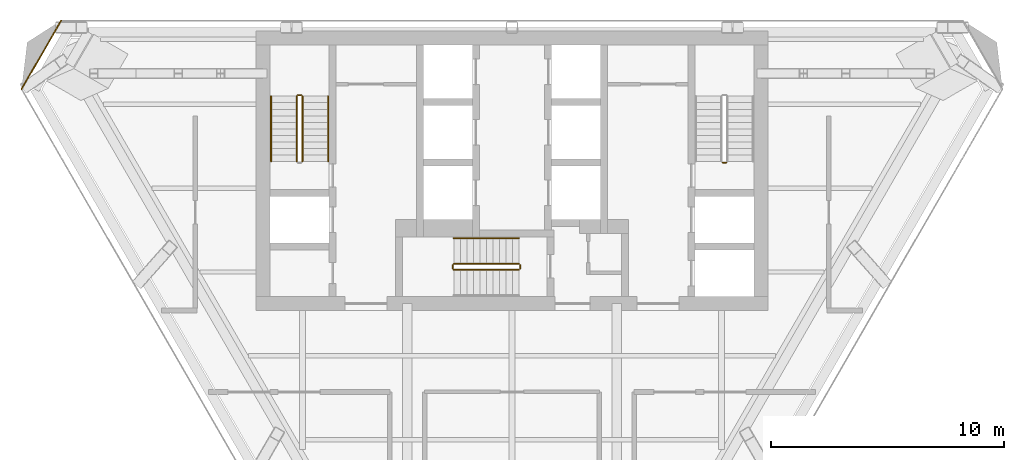
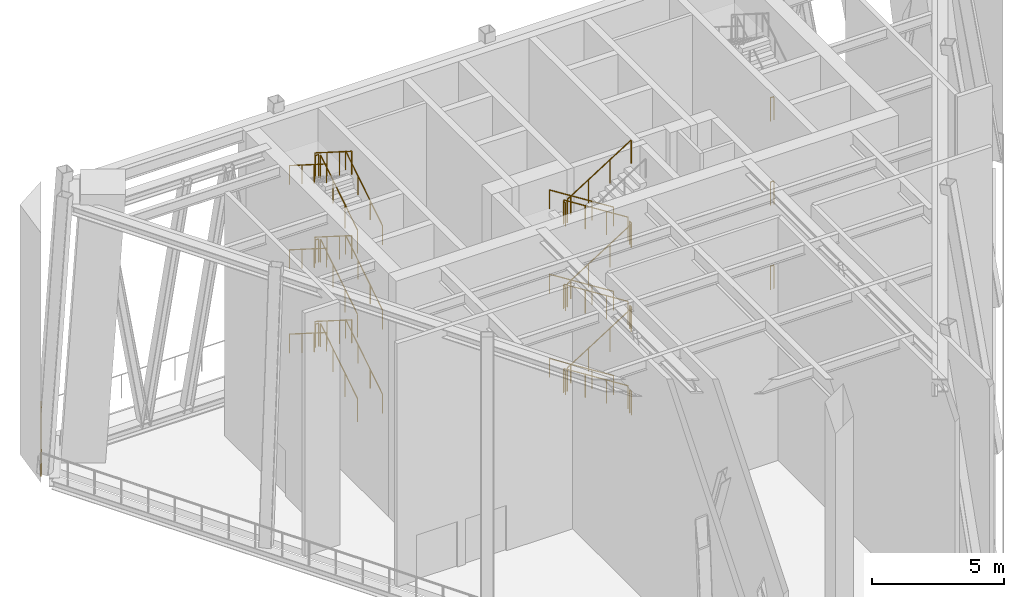
# One storey, part 9 of 11: 34 railings.
"""IFC4 building model written with IfcOpenShell, lengths in metres."""

from ifc_helpers import new_model, si_unit, direction, frame, origin, origin_2d, place, context, subcontext, project, spatial, circle, extrude, material, type_object, element, save


model = new_model("IFC4")

# Units and contexts
model_context = context("Model", 3, precision=1e-05, world=origin(), true_north=direction((0.0, 1.0)))
body_context = subcontext(model_context, "Body", "Model", "MODEL_VIEW")
ifc_project = project(units=[si_unit("LENGTHUNIT", "METRE"), si_unit("AREAUNIT", "SQUARE_METRE"), si_unit("VOLUMEUNIT", "CUBIC_METRE"), si_unit("PLANEANGLEUNIT", "RADIAN"), si_unit("MASSUNIT", "GRAM", prefix="KILO")], contexts=[model_context])

# Site, building, storey
site_placement = place(None, origin())
site = spatial("IfcSite", under=ifc_project, at=site_placement, CompositionType="ELEMENT")
building_placement = place(site_placement, origin())
building = spatial("IfcBuilding", under=site, at=building_placement, Name="Aloe Facet Convention Tower", CompositionType="ELEMENT")
storey_placement = place(building_placement, frame((0.0, 0.0, 227.0)))
storey = spatial("IfcBuildingStorey", under=building, at=storey_placement, Name="L57", CompositionType="ELEMENT", Elevation=227.0)

# Railings
ifc_material_1 = material(Name="Steel S355 balustrade", Category="steel")
railing_type_1 = type_object("IfcRailingType", Name="CR-RL-GUARD", PredefinedType="GUARDRAIL", material=ifc_material_1)
railing_1_placement = place(storey_placement, frame((71.0, 128.949951171875, 0.17724609375)))
element("IfcRailing", 1, at=railing_1_placement, inside=storey, type_object=railing_type_1, Name="L57 ST1 stair guard 1", PredefinedType="GUARDRAIL", context=body_context, shape_type="SweptSolid", body=[
    extrude(circle(Radius=0.02392578125, at=origin_2d()), frame((0.0, 0.0, 1.076171875), z_axis=(0.0, 0.844908973607, 0.534910110503), x_axis=(-1.0, 0.0, 0.0)), (0.0, 0.0, 1.0), 3.31396484375),
    extrude(circle(Radius=0.02099609375, at=origin_2d()), origin(), (0.0, 0.0, 1.0), 1.052001953125),
    extrude(circle(Radius=0.02099609375, at=origin_2d()), frame((0.0, 0.933349609375, 0.5908203125)), (0.0, 0.0, 1.0), 1.052001953125),
    extrude(circle(Radius=0.02099609375, at=origin_2d()), frame((0.0, 1.86669921875, 1.181884765625)), (0.0, 0.0, 1.0), 1.052001953125),
    extrude(circle(Radius=0.02099609375, at=origin_2d()), frame((0.0, 2.800048828125, 1.772705078125)), (0.0, 0.0, 1.0), 1.052001953125),
])
railing_2_placement = place(storey_placement, frame((70.949951171875, 131.800048828125, 1.949951171875)))
element("IfcRailing", 2, at=railing_2_placement, inside=storey, type_object=railing_type_1, Name="L57 ST1 stair guard 2", PredefinedType="GUARDRAIL", context=body_context, shape_type="SweptSolid", body=[
    extrude(circle(Radius=0.02392578125, at=origin_2d()), frame((0.0, 0.0, 1.076171875), z_axis=(-1.0, 0.0, 0.0), x_axis=(0.0, -1.0, 0.0)), (0.0, 0.0, 1.0), 0.14990234375),
    extrude(circle(Radius=0.02099609375, at=origin_2d()), origin(), (0.0, 0.0, 1.0), 1.052001953125),
    extrude(circle(Radius=0.02099609375, at=origin_2d()), frame((-0.14990234375, 0.0, 0.0)), (0.0, 0.0, 1.0), 1.052001953125),
])
railing_3_placement = place(storey_placement, frame((70.75, 131.75, 2.127197265625)))
element("IfcRailing", 3, at=railing_3_placement, inside=storey, type_object=railing_type_1, Name="L57 ST1 stair guard 3", PredefinedType="GUARDRAIL", context=body_context, shape_type="SweptSolid", body=[
    extrude(circle(Radius=0.02392578125, at=origin_2d()), frame((0.0, 0.0, 1.076171875), z_axis=(0.0, -0.844908973607, 0.534910110503), x_axis=(1.0, 0.0, 0.0)), (0.0, 0.0, 1.0), 3.31396484375),
    extrude(circle(Radius=0.02099609375, at=origin_2d()), origin(), (0.0, 0.0, 1.0), 1.052001953125),
    extrude(circle(Radius=0.02099609375, at=origin_2d()), frame((0.0, -0.933349609375, 0.5908203125)), (0.0, 0.0, 1.0), 1.052001953125),
    extrude(circle(Radius=0.02099609375, at=origin_2d()), frame((0.0, -1.86669921875, 1.181884765625)), (0.0, 0.0, 1.0), 1.052001953125),
    extrude(circle(Radius=0.02099609375, at=origin_2d()), frame((0.0, -2.800048828125, 1.772705078125)), (0.0, 0.0, 1.0), 1.052001953125),
])
railing_4_placement = place(storey_placement, frame((71.0, 128.949951171875, 4.077392578125)))
element("IfcRailing", 4, at=railing_4_placement, inside=storey, type_object=railing_type_1, Name="L57 ST1 stair guard 5", PredefinedType="GUARDRAIL", context=body_context, shape_type="SweptSolid", body=[
    extrude(circle(Radius=0.02392578125, at=origin_2d()), frame((0.0, 0.0, 1.076171875), z_axis=(0.0, 0.844908973607, 0.534910110503), x_axis=(-1.0, 0.0, 0.0)), (0.0, 0.0, 1.0), 3.31396484375),
    extrude(circle(Radius=0.02099609375, at=origin_2d()), origin(), (0.0, 0.0, 1.0), 1.052001953125),
    extrude(circle(Radius=0.02099609375, at=origin_2d()), frame((0.0, 0.933349609375, 0.5908203125)), (0.0, 0.0, 1.0), 1.052001953125),
    extrude(circle(Radius=0.02099609375, at=origin_2d()), frame((0.0, 1.86669921875, 1.181884765625)), (0.0, 0.0, 1.0), 1.052001953125),
    extrude(circle(Radius=0.02099609375, at=origin_2d()), frame((0.0, 2.800048828125, 1.772705078125)), (0.0, 0.0, 1.0), 1.052001953125),
])
railing_5_placement = place(storey_placement, frame((70.949951171875, 131.800048828125, 5.85009765625)))
element("IfcRailing", 5, at=railing_5_placement, inside=storey, type_object=railing_type_1, Name="L57 ST1 stair guard 6", PredefinedType="GUARDRAIL", context=body_context, shape_type="SweptSolid", body=[
    extrude(circle(Radius=0.02392578125, at=origin_2d()), frame((0.0, 0.0, 1.076171875), z_axis=(-1.0, 0.0, 0.0), x_axis=(0.0, -1.0, 0.0)), (0.0, 0.0, 1.0), 0.14990234375),
    extrude(circle(Radius=0.02099609375, at=origin_2d()), origin(), (0.0, 0.0, 1.0), 1.052001953125),
    extrude(circle(Radius=0.02099609375, at=origin_2d()), frame((-0.14990234375, 0.0, 0.0)), (0.0, 0.0, 1.0), 1.052001953125),
])
railing_6_placement = place(storey_placement, frame((70.75, 131.75, 6.02734375)))
element("IfcRailing", 6, at=railing_6_placement, inside=storey, type_object=railing_type_1, Name="L57 ST1 stair guard 7", PredefinedType="GUARDRAIL", context=body_context, shape_type="SweptSolid", body=[
    extrude(circle(Radius=0.02392578125, at=origin_2d()), frame((0.0, 0.0, 1.076171875), z_axis=(0.0, -0.844908973607, 0.534910110503), x_axis=(1.0, 0.0, 0.0)), (0.0, 0.0, 1.0), 3.31396484375),
    extrude(circle(Radius=0.02099609375, at=origin_2d()), origin(), (0.0, 0.0, 1.0), 1.052001953125),
    extrude(circle(Radius=0.02099609375, at=origin_2d()), frame((0.0, -0.933349609375, 0.5908203125)), (0.0, 0.0, 1.0), 1.052001953125),
    extrude(circle(Radius=0.02099609375, at=origin_2d()), frame((0.0, -1.86669921875, 1.181884765625)), (0.0, 0.0, 1.0), 1.052001953125),
    extrude(circle(Radius=0.02099609375, at=origin_2d()), frame((0.0, -2.800048828125, 1.772705078125)), (0.0, 0.0, 1.0), 1.052001953125),
])
railing_7_placement = place(storey_placement, frame((71.0, 128.949951171875, 7.977294921875)))
element("IfcRailing", 7, at=railing_7_placement, inside=storey, type_object=railing_type_1, Name="L57 ST1 stair guard 9", PredefinedType="GUARDRAIL", context=body_context, shape_type="SweptSolid", body=[
    extrude(circle(Radius=0.02392578125, at=origin_2d()), frame((0.0, 0.0, 1.076171875), z_axis=(0.0, 0.844908973607, 0.534910110503), x_axis=(-1.0, 0.0, 0.0)), (0.0, 0.0, 1.0), 3.31396484375),
    extrude(circle(Radius=0.02099609375, at=origin_2d()), origin(), (0.0, 0.0, 1.0), 1.052001953125),
    extrude(circle(Radius=0.02099609375, at=origin_2d()), frame((0.0, 0.933349609375, 0.5908203125)), (0.0, 0.0, 1.0), 1.052001953125),
    extrude(circle(Radius=0.02099609375, at=origin_2d()), frame((0.0, 1.86669921875, 1.181884765625)), (0.0, 0.0, 1.0), 1.052001953125),
    extrude(circle(Radius=0.02099609375, at=origin_2d()), frame((0.0, 2.800048828125, 1.772705078125)), (0.0, 0.0, 1.0), 1.052001953125),
])
railing_8_placement = place(storey_placement, frame((70.949951171875, 131.800048828125, 9.75)))
element("IfcRailing", 8, at=railing_8_placement, inside=storey, type_object=railing_type_1, Name="L57 ST1 stair guard 10", PredefinedType="GUARDRAIL", context=body_context, shape_type="SweptSolid", body=[
    extrude(circle(Radius=0.02392578125, at=origin_2d()), frame((0.0, 0.0, 1.076171875), z_axis=(-1.0, 0.0, 0.0), x_axis=(0.0, -1.0, 0.0)), (0.0, 0.0, 1.0), 0.14990234375),
    extrude(circle(Radius=0.02099609375, at=origin_2d()), origin(), (0.0, 0.0, 1.0), 1.052001953125),
    extrude(circle(Radius=0.02099609375, at=origin_2d()), frame((-0.14990234375, 0.0, 0.0)), (0.0, 0.0, 1.0), 1.052001953125),
])
railing_9_placement = place(storey_placement, frame((70.75, 131.75, 9.92724609375)))
element("IfcRailing", 9, at=railing_9_placement, inside=storey, type_object=railing_type_1, Name="L57 ST1 stair guard 11", PredefinedType="GUARDRAIL", context=body_context, shape_type="SweptSolid", body=[
    extrude(circle(Radius=0.02392578125, at=origin_2d()), frame((0.0, 0.0, 1.076171875), z_axis=(0.0, -0.844908973607, 0.534910110503), x_axis=(1.0, 0.0, 0.0)), (0.0, 0.0, 1.0), 3.31396484375),
    extrude(circle(Radius=0.02099609375, at=origin_2d()), origin(), (0.0, 0.0, 1.0), 1.052001953125),
    extrude(circle(Radius=0.02099609375, at=origin_2d()), frame((0.0, -0.933349609375, 0.5908203125)), (0.0, 0.0, 1.0), 1.052001953125),
    extrude(circle(Radius=0.02099609375, at=origin_2d()), frame((0.0, -1.86669921875, 1.181884765625)), (0.0, 0.0, 1.0), 1.052001953125),
    extrude(circle(Radius=0.02099609375, at=origin_2d()), frame((0.0, -2.800048828125, 1.772705078125)), (0.0, 0.0, 1.0), 1.052001953125),
])
for number, where, name in (
    (10, (89.199951171875, 128.89990234375, 3.89990234375), "L57 ST2 stair guard 4"),
    (11, (89.199951171875, 128.89990234375, 7.800048828125), "L57 ST2 stair guard 8"),
    (12, (89.199951171875, 128.89990234375, 0.0), "L57 ST2 stair guard 12"),
):
    element("IfcRailing", number, at=place(storey_placement, frame(where)), inside=storey, type_object=railing_type_1, Name=name, PredefinedType="GUARDRAIL", context=body_context, shape_type="SweptSolid", body=[
        extrude(circle(Radius=0.02392578125, at=origin_2d()), frame((0.0, 0.0, 1.076171875), z_axis=(-1.0, 0.0, 0.0), x_axis=(0.0, -1.0, 0.0)), (0.0, 0.0, 1.0), 0.14990234375),
        extrude(circle(Radius=0.02099609375, at=origin_2d()), origin(), (0.0, 0.0, 1.0), 1.052001953125),
        extrude(circle(Radius=0.02099609375, at=origin_2d()), frame((-0.14990234375, 0.0, 0.0)), (0.0, 0.0, 1.0), 1.052001953125),
    ])
railing_10_placement = place(storey_placement, frame((80.300048828125, 124.550048828125, 0.17724609375)))
element("IfcRailing", 13, at=railing_10_placement, inside=storey, type_object=railing_type_1, Name="L57 ST3 stair guard 1", PredefinedType="GUARDRAIL", context=body_context, shape_type="SweptSolid", body=[
    extrude(circle(Radius=0.02392578125, at=origin_2d()), frame((0.0, 0.0, 1.076171875), z_axis=(-0.844908973607, 0.0, 0.534910110503), x_axis=(0.0, -1.0, 0.0)), (0.0, 0.0, 1.0), 3.31396484375),
    extrude(circle(Radius=0.02099609375, at=origin_2d()), origin(), (0.0, 0.0, 1.0), 1.052001953125),
    extrude(circle(Radius=0.02099609375, at=origin_2d()), frame((-0.933349609375, 0.0, 0.5908203125)), (0.0, 0.0, 1.0), 1.052001953125),
    extrude(circle(Radius=0.02099609375, at=origin_2d()), frame((-1.86669921875, 0.0, 1.181884765625)), (0.0, 0.0, 1.0), 1.052001953125),
    extrude(circle(Radius=0.02099609375, at=origin_2d()), frame((-2.800048828125, 0.0, 1.772705078125)), (0.0, 0.0, 1.0), 1.052001953125),
])
railing_11_placement = place(storey_placement, frame((77.449951171875, 124.5, 1.949951171875)))
element("IfcRailing", 14, at=railing_11_placement, inside=storey, type_object=railing_type_1, Name="L57 ST3 stair guard 2", PredefinedType="GUARDRAIL", context=body_context, shape_type="SweptSolid", body=[
    extrude(circle(Radius=0.02392578125, at=origin_2d()), frame((0.0, 0.0, 1.076171875), z_axis=(0.0, -1.0, 0.0), x_axis=(1.0, 0.0, 0.0)), (0.0, 0.0, 1.0), 0.14990234375),
    extrude(circle(Radius=0.02099609375, at=origin_2d()), origin(), (0.0, 0.0, 1.0), 1.052001953125),
    extrude(circle(Radius=0.02099609375, at=origin_2d()), frame((0.0, -0.14990234375, 0.0)), (0.0, 0.0, 1.0), 1.052001953125),
])
railing_12_placement = place(storey_placement, frame((77.5, 124.300048828125, 2.127197265625)))
element("IfcRailing", 15, at=railing_12_placement, inside=storey, type_object=railing_type_1, Name="L57 ST3 stair guard 3", PredefinedType="GUARDRAIL", context=body_context, shape_type="SweptSolid", body=[
    extrude(circle(Radius=0.02392578125, at=origin_2d()), frame((0.0, 0.0, 1.076171875), z_axis=(0.844908973607, 0.0, 0.534910110503), x_axis=(0.0, 1.0, 0.0)), (0.0, 0.0, 1.0), 3.31396484375),
    extrude(circle(Radius=0.02099609375, at=origin_2d()), origin(), (0.0, 0.0, 1.0), 1.052001953125),
    extrude(circle(Radius=0.02099609375, at=origin_2d()), frame((0.933349609375, 0.0, 0.5908203125)), (0.0, 0.0, 1.0), 1.052001953125),
    extrude(circle(Radius=0.02099609375, at=origin_2d()), frame((1.86669921875, 0.0, 1.181884765625)), (0.0, 0.0, 1.0), 1.052001953125),
    extrude(circle(Radius=0.02099609375, at=origin_2d()), frame((2.800048828125, 0.0, 1.772705078125)), (0.0, 0.0, 1.0), 1.052001953125),
])
railing_13_placement = place(storey_placement, frame((80.35009765625, 124.5, 3.89990234375)))
element("IfcRailing", 16, at=railing_13_placement, inside=storey, type_object=railing_type_1, Name="L57 ST3 stair guard 4", PredefinedType="GUARDRAIL", context=body_context, shape_type="SweptSolid", body=[
    extrude(circle(Radius=0.02392578125, at=origin_2d()), frame((0.0, 0.0, 1.076171875), z_axis=(0.0, -1.0, 0.0), x_axis=(1.0, 0.0, 0.0)), (0.0, 0.0, 1.0), 0.14990234375),
    extrude(circle(Radius=0.02099609375, at=origin_2d()), origin(), (0.0, 0.0, 1.0), 1.052001953125),
    extrude(circle(Radius=0.02099609375, at=origin_2d()), frame((0.0, -0.14990234375, 0.0)), (0.0, 0.0, 1.0), 1.052001953125),
])
railing_14_placement = place(storey_placement, frame((80.300048828125, 124.550048828125, 4.077392578125)))
element("IfcRailing", 17, at=railing_14_placement, inside=storey, type_object=railing_type_1, Name="L57 ST3 stair guard 5", PredefinedType="GUARDRAIL", context=body_context, shape_type="SweptSolid", body=[
    extrude(circle(Radius=0.02392578125, at=origin_2d()), frame((0.0, 0.0, 1.076171875), z_axis=(-0.844908973607, 0.0, 0.534910110503), x_axis=(0.0, -1.0, 0.0)), (0.0, 0.0, 1.0), 3.31396484375),
    extrude(circle(Radius=0.02099609375, at=origin_2d()), origin(), (0.0, 0.0, 1.0), 1.052001953125),
    extrude(circle(Radius=0.02099609375, at=origin_2d()), frame((-0.933349609375, 0.0, 0.5908203125)), (0.0, 0.0, 1.0), 1.052001953125),
    extrude(circle(Radius=0.02099609375, at=origin_2d()), frame((-1.86669921875, 0.0, 1.181884765625)), (0.0, 0.0, 1.0), 1.052001953125),
    extrude(circle(Radius=0.02099609375, at=origin_2d()), frame((-2.800048828125, 0.0, 1.772705078125)), (0.0, 0.0, 1.0), 1.052001953125),
])
railing_15_placement = place(storey_placement, frame((77.449951171875, 124.5, 5.85009765625)))
element("IfcRailing", 18, at=railing_15_placement, inside=storey, type_object=railing_type_1, Name="L57 ST3 stair guard 6", PredefinedType="GUARDRAIL", context=body_context, shape_type="SweptSolid", body=[
    extrude(circle(Radius=0.02392578125, at=origin_2d()), frame((0.0, 0.0, 1.076171875), z_axis=(0.0, -1.0, 0.0), x_axis=(1.0, 0.0, 0.0)), (0.0, 0.0, 1.0), 0.14990234375),
    extrude(circle(Radius=0.02099609375, at=origin_2d()), origin(), (0.0, 0.0, 1.0), 1.052001953125),
    extrude(circle(Radius=0.02099609375, at=origin_2d()), frame((0.0, -0.14990234375, 0.0)), (0.0, 0.0, 1.0), 1.052001953125),
])
railing_16_placement = place(storey_placement, frame((77.5, 124.300048828125, 6.02734375)))
element("IfcRailing", 19, at=railing_16_placement, inside=storey, type_object=railing_type_1, Name="L57 ST3 stair guard 7", PredefinedType="GUARDRAIL", context=body_context, shape_type="SweptSolid", body=[
    extrude(circle(Radius=0.02392578125, at=origin_2d()), frame((0.0, 0.0, 1.076171875), z_axis=(0.844908973607, 0.0, 0.534910110503), x_axis=(0.0, 1.0, 0.0)), (0.0, 0.0, 1.0), 3.31396484375),
    extrude(circle(Radius=0.02099609375, at=origin_2d()), origin(), (0.0, 0.0, 1.0), 1.052001953125),
    extrude(circle(Radius=0.02099609375, at=origin_2d()), frame((0.933349609375, 0.0, 0.5908203125)), (0.0, 0.0, 1.0), 1.052001953125),
    extrude(circle(Radius=0.02099609375, at=origin_2d()), frame((1.86669921875, 0.0, 1.181884765625)), (0.0, 0.0, 1.0), 1.052001953125),
    extrude(circle(Radius=0.02099609375, at=origin_2d()), frame((2.800048828125, 0.0, 1.772705078125)), (0.0, 0.0, 1.0), 1.052001953125),
])
railing_17_placement = place(storey_placement, frame((80.35009765625, 124.5, 7.800048828125)))
element("IfcRailing", 20, at=railing_17_placement, inside=storey, type_object=railing_type_1, Name="L57 ST3 stair guard 8", PredefinedType="GUARDRAIL", context=body_context, shape_type="SweptSolid", body=[
    extrude(circle(Radius=0.02392578125, at=origin_2d()), frame((0.0, 0.0, 1.076171875), z_axis=(0.0, -1.0, 0.0), x_axis=(1.0, 0.0, 0.0)), (0.0, 0.0, 1.0), 0.14990234375),
    extrude(circle(Radius=0.02099609375, at=origin_2d()), origin(), (0.0, 0.0, 1.0), 1.052001953125),
    extrude(circle(Radius=0.02099609375, at=origin_2d()), frame((0.0, -0.14990234375, 0.0)), (0.0, 0.0, 1.0), 1.052001953125),
])
railing_18_placement = place(storey_placement, frame((80.300048828125, 124.550048828125, 7.977294921875)))
element("IfcRailing", 21, at=railing_18_placement, inside=storey, type_object=railing_type_1, Name="L57 ST3 stair guard 9", PredefinedType="GUARDRAIL", context=body_context, shape_type="SweptSolid", body=[
    extrude(circle(Radius=0.02392578125, at=origin_2d()), frame((0.0, 0.0, 1.076171875), z_axis=(-0.844908973607, 0.0, 0.534910110503), x_axis=(0.0, -1.0, 0.0)), (0.0, 0.0, 1.0), 3.31396484375),
    extrude(circle(Radius=0.02099609375, at=origin_2d()), origin(), (0.0, 0.0, 1.0), 1.052001953125),
    extrude(circle(Radius=0.02099609375, at=origin_2d()), frame((-0.933349609375, 0.0, 0.5908203125)), (0.0, 0.0, 1.0), 1.052001953125),
    extrude(circle(Radius=0.02099609375, at=origin_2d()), frame((-1.86669921875, 0.0, 1.181884765625)), (0.0, 0.0, 1.0), 1.052001953125),
    extrude(circle(Radius=0.02099609375, at=origin_2d()), frame((-2.800048828125, 0.0, 1.772705078125)), (0.0, 0.0, 1.0), 1.052001953125),
])
railing_19_placement = place(storey_placement, frame((77.449951171875, 124.5, 9.75)))
element("IfcRailing", 22, at=railing_19_placement, inside=storey, type_object=railing_type_1, Name="L57 ST3 stair guard 10", PredefinedType="GUARDRAIL", context=body_context, shape_type="SweptSolid", body=[
    extrude(circle(Radius=0.02392578125, at=origin_2d()), frame((0.0, 0.0, 1.076171875), z_axis=(0.0, -1.0, 0.0), x_axis=(1.0, 0.0, 0.0)), (0.0, 0.0, 1.0), 0.14990234375),
    extrude(circle(Radius=0.02099609375, at=origin_2d()), origin(), (0.0, 0.0, 1.0), 1.052001953125),
    extrude(circle(Radius=0.02099609375, at=origin_2d()), frame((0.0, -0.14990234375, 0.0)), (0.0, 0.0, 1.0), 1.052001953125),
])
railing_20_placement = place(storey_placement, frame((77.5, 124.300048828125, 9.92724609375)))
element("IfcRailing", 23, at=railing_20_placement, inside=storey, type_object=railing_type_1, Name="L57 ST3 stair guard 11", PredefinedType="GUARDRAIL", context=body_context, shape_type="SweptSolid", body=[
    extrude(circle(Radius=0.02392578125, at=origin_2d()), frame((0.0, 0.0, 1.076171875), z_axis=(0.844908973607, 0.0, 0.534910110503), x_axis=(0.0, 1.0, 0.0)), (0.0, 0.0, 1.0), 3.31396484375),
    extrude(circle(Radius=0.02099609375, at=origin_2d()), origin(), (0.0, 0.0, 1.0), 1.052001953125),
    extrude(circle(Radius=0.02099609375, at=origin_2d()), frame((0.933349609375, 0.0, 0.5908203125)), (0.0, 0.0, 1.0), 1.052001953125),
    extrude(circle(Radius=0.02099609375, at=origin_2d()), frame((1.86669921875, 0.0, 1.181884765625)), (0.0, 0.0, 1.0), 1.052001953125),
    extrude(circle(Radius=0.02099609375, at=origin_2d()), frame((2.800048828125, 0.0, 1.772705078125)), (0.0, 0.0, 1.0), 1.052001953125),
])
railing_21_placement = place(storey_placement, frame((80.35009765625, 124.5, 0.0)))
element("IfcRailing", 24, at=railing_21_placement, inside=storey, type_object=railing_type_1, Name="L57 ST3 stair guard 12", PredefinedType="GUARDRAIL", context=body_context, shape_type="SweptSolid", body=[
    extrude(circle(Radius=0.02392578125, at=origin_2d()), frame((0.0, 0.0, 1.076171875), z_axis=(0.0, -1.0, 0.0), x_axis=(1.0, 0.0, 0.0)), (0.0, 0.0, 1.0), 0.14990234375),
    extrude(circle(Radius=0.02099609375, at=origin_2d()), origin(), (0.0, 0.0, 1.0), 1.052001953125),
    extrude(circle(Radius=0.02099609375, at=origin_2d()), frame((0.0, -0.14990234375, 0.0)), (0.0, 0.0, 1.0), 1.052001953125),
])
ifc_material_2 = material(Name="Steel S355 handrail", Category="steel")
railing_type_2 = type_object("IfcRailingType", Name="CR-RL-HAND", PredefinedType="HANDRAIL", material=ifc_material_2)
railing_22_placement = place(storey_placement, frame((72.10009765625, 128.949951171875, 0.17724609375)))
element("IfcRailing", 25, at=railing_22_placement, inside=storey, type_object=railing_type_2, Name="L57 ST1 stair handrail 1", PredefinedType="HANDRAIL", context=body_context, shape_type="SweptSolid", body=[
    extrude(circle(Radius=0.02392578125, at=origin_2d()), frame((0.0, 0.0, 0.8759765625), z_axis=(0.0, 0.844908973607, 0.534910110503), x_axis=(-1.0, 0.0, 0.0)), (0.0, 0.0, 1.0), 3.31396484375),
    extrude(circle(Radius=0.02099609375, at=origin_2d()), origin(), (0.0, 0.0, 1.0), 0.851806640625),
    extrude(circle(Radius=0.02099609375, at=origin_2d()), frame((0.0, 0.933349609375, 0.5908203125)), (0.0, 0.0, 1.0), 0.851806640625),
    extrude(circle(Radius=0.02099609375, at=origin_2d()), frame((0.0, 1.86669921875, 1.181884765625)), (0.0, 0.0, 1.0), 0.851806640625),
    extrude(circle(Radius=0.02099609375, at=origin_2d()), frame((0.0, 2.800048828125, 1.772705078125)), (0.0, 0.0, 1.0), 0.851806640625),
])
railing_23_placement = place(storey_placement, frame((69.64990234375, 131.75, 2.127197265625)))
element("IfcRailing", 26, at=railing_23_placement, inside=storey, type_object=railing_type_2, Name="L57 ST1 stair handrail 2", PredefinedType="HANDRAIL", context=body_context, shape_type="SweptSolid", body=[
    extrude(circle(Radius=0.02392578125, at=origin_2d()), frame((0.0, 0.0, 0.8759765625), z_axis=(0.0, -0.844908973607, 0.534910110503), x_axis=(1.0, 0.0, 0.0)), (0.0, 0.0, 1.0), 3.31396484375),
    extrude(circle(Radius=0.02099609375, at=origin_2d()), origin(), (0.0, 0.0, 1.0), 0.851806640625),
    extrude(circle(Radius=0.02099609375, at=origin_2d()), frame((0.0, -0.933349609375, 0.5908203125)), (0.0, 0.0, 1.0), 0.851806640625),
    extrude(circle(Radius=0.02099609375, at=origin_2d()), frame((0.0, -1.86669921875, 1.181884765625)), (0.0, 0.0, 1.0), 0.851806640625),
    extrude(circle(Radius=0.02099609375, at=origin_2d()), frame((0.0, -2.800048828125, 1.772705078125)), (0.0, 0.0, 1.0), 0.851806640625),
])
railing_24_placement = place(storey_placement, frame((72.10009765625, 128.949951171875, 4.077392578125)))
element("IfcRailing", 27, at=railing_24_placement, inside=storey, type_object=railing_type_2, Name="L57 ST1 stair handrail 3", PredefinedType="HANDRAIL", context=body_context, shape_type="SweptSolid", body=[
    extrude(circle(Radius=0.02392578125, at=origin_2d()), frame((0.0, 0.0, 0.8759765625), z_axis=(0.0, 0.844908973607, 0.534910110503), x_axis=(-1.0, 0.0, 0.0)), (0.0, 0.0, 1.0), 3.31396484375),
    extrude(circle(Radius=0.02099609375, at=origin_2d()), origin(), (0.0, 0.0, 1.0), 0.851806640625),
    extrude(circle(Radius=0.02099609375, at=origin_2d()), frame((0.0, 0.933349609375, 0.5908203125)), (0.0, 0.0, 1.0), 0.851806640625),
    extrude(circle(Radius=0.02099609375, at=origin_2d()), frame((0.0, 1.86669921875, 1.181884765625)), (0.0, 0.0, 1.0), 0.851806640625),
    extrude(circle(Radius=0.02099609375, at=origin_2d()), frame((0.0, 2.800048828125, 1.772705078125)), (0.0, 0.0, 1.0), 0.851806640625),
])
railing_25_placement = place(storey_placement, frame((69.64990234375, 131.75, 6.02734375)))
element("IfcRailing", 28, at=railing_25_placement, inside=storey, type_object=railing_type_2, Name="L57 ST1 stair handrail 4", PredefinedType="HANDRAIL", context=body_context, shape_type="SweptSolid", body=[
    extrude(circle(Radius=0.02392578125, at=origin_2d()), frame((0.0, 0.0, 0.8759765625), z_axis=(0.0, -0.844908973607, 0.534910110503), x_axis=(1.0, 0.0, 0.0)), (0.0, 0.0, 1.0), 3.31396484375),
    extrude(circle(Radius=0.02099609375, at=origin_2d()), origin(), (0.0, 0.0, 1.0), 0.851806640625),
    extrude(circle(Radius=0.02099609375, at=origin_2d()), frame((0.0, -0.933349609375, 0.5908203125)), (0.0, 0.0, 1.0), 0.851806640625),
    extrude(circle(Radius=0.02099609375, at=origin_2d()), frame((0.0, -1.86669921875, 1.181884765625)), (0.0, 0.0, 1.0), 0.851806640625),
    extrude(circle(Radius=0.02099609375, at=origin_2d()), frame((0.0, -2.800048828125, 1.772705078125)), (0.0, 0.0, 1.0), 0.851806640625),
])
railing_26_placement = place(storey_placement, frame((72.10009765625, 128.949951171875, 7.977294921875)))
element("IfcRailing", 29, at=railing_26_placement, inside=storey, type_object=railing_type_2, Name="L57 ST1 stair handrail 5", PredefinedType="HANDRAIL", context=body_context, shape_type="SweptSolid", body=[
    extrude(circle(Radius=0.02392578125, at=origin_2d()), frame((0.0, 0.0, 0.8759765625), z_axis=(0.0, 0.844908973607, 0.534910110503), x_axis=(-1.0, 0.0, 0.0)), (0.0, 0.0, 1.0), 3.31396484375),
    extrude(circle(Radius=0.02099609375, at=origin_2d()), origin(), (0.0, 0.0, 1.0), 0.851806640625),
    extrude(circle(Radius=0.02099609375, at=origin_2d()), frame((0.0, 0.933349609375, 0.5908203125)), (0.0, 0.0, 1.0), 0.851806640625),
    extrude(circle(Radius=0.02099609375, at=origin_2d()), frame((0.0, 1.86669921875, 1.181884765625)), (0.0, 0.0, 1.0), 0.851806640625),
    extrude(circle(Radius=0.02099609375, at=origin_2d()), frame((0.0, 2.800048828125, 1.772705078125)), (0.0, 0.0, 1.0), 0.851806640625),
])
railing_27_placement = place(storey_placement, frame((69.64990234375, 131.75, 9.92724609375)))
element("IfcRailing", 30, at=railing_27_placement, inside=storey, type_object=railing_type_2, Name="L57 ST1 stair handrail 6", PredefinedType="HANDRAIL", context=body_context, shape_type="SweptSolid", body=[
    extrude(circle(Radius=0.02392578125, at=origin_2d()), frame((0.0, 0.0, 0.8759765625), z_axis=(0.0, -0.844908973607, 0.534910110503), x_axis=(1.0, 0.0, 0.0)), (0.0, 0.0, 1.0), 3.31396484375),
    extrude(circle(Radius=0.02099609375, at=origin_2d()), origin(), (0.0, 0.0, 1.0), 0.851806640625),
    extrude(circle(Radius=0.02099609375, at=origin_2d()), frame((0.0, -0.933349609375, 0.5908203125)), (0.0, 0.0, 1.0), 0.851806640625),
    extrude(circle(Radius=0.02099609375, at=origin_2d()), frame((0.0, -1.86669921875, 1.181884765625)), (0.0, 0.0, 1.0), 0.851806640625),
    extrude(circle(Radius=0.02099609375, at=origin_2d()), frame((0.0, -2.800048828125, 1.772705078125)), (0.0, 0.0, 1.0), 0.851806640625),
])
for number, where, name in (
    (31, (80.300048828125, 125.64990234375, 0.17724609375), "L57 ST3 stair handrail 1"),
    (32, (80.300048828125, 125.64990234375, 4.077392578125), "L57 ST3 stair handrail 3"),
    (33, (80.300048828125, 125.64990234375, 7.977294921875), "L57 ST3 stair handrail 5"),
):
    element("IfcRailing", number, at=place(storey_placement, frame(where)), inside=storey, type_object=railing_type_2, Name=name, PredefinedType="HANDRAIL", context=body_context, shape_type="SweptSolid", body=[
        extrude(circle(Radius=0.02392578125, at=origin_2d()), frame((0.0, 0.0, 0.8759765625), z_axis=(-0.844908973607, 0.0, 0.534910110503), x_axis=(0.0, -1.0, 0.0)), (0.0, 0.0, 1.0), 3.31396484375),
        extrude(circle(Radius=0.02099609375, at=origin_2d()), origin(), (0.0, 0.0, 1.0), 0.851806640625),
        extrude(circle(Radius=0.02099609375, at=origin_2d()), frame((-0.933349609375, 0.0, 0.5908203125)), (0.0, 0.0, 1.0), 0.851806640625),
        extrude(circle(Radius=0.02099609375, at=origin_2d()), frame((-1.86669921875, 0.0, 1.181884765625)), (0.0, 0.0, 1.0), 0.851806640625),
        extrude(circle(Radius=0.02099609375, at=origin_2d()), frame((-2.800048828125, 0.0, 1.772705078125)), (0.0, 0.0, 1.0), 0.851806640625),
    ])
ifc_material_3 = material(Name="Steel S355", Category="steel")
railing_type_3 = type_object("IfcRailingType", Name="EV-GUARD-PORTAL", PredefinedType="GUARDRAIL", material=ifc_material_3)
railing_28_placement = place(storey_placement, frame((60.635498046875, 135.0, 0.0)))
element("IfcRailing", 34, at=railing_28_placement, inside=storey, type_object=railing_type_3, Name="GUARD L57-2", PredefinedType="GUARDRAIL", context=body_context, shape_type="SweptSolid", body=[
    extrude(circle(Radius=0.02392578125, at=origin_2d()), frame((0.0, 0.0, 1.076171875), z_axis=(-0.500031147688, -0.866007419912, 0.0), x_axis=(0.866007419912, -0.500031147688, 0.0)), (0.0, 0.0, 1.0), 3.400146484375),
    extrude(circle(Radius=0.02099609375, at=origin_2d()), origin(), (0.0, 0.0, 1.0), 1.052001953125),
    extrude(circle(Radius=0.02099609375, at=origin_2d()), frame((-0.566650390625, -0.9814453125, 0.0)), (0.0, 0.0, 1.0), 1.052001953125),
    extrude(circle(Radius=0.02099609375, at=origin_2d()), frame((-1.133544921875, -1.963134765625, 0.0)), (0.0, 0.0, 1.0), 1.052001953125),
    extrude(circle(Radius=0.02099609375, at=origin_2d()), frame((-1.7001953125, -2.944580078125, 0.0)), (0.0, 0.0, 1.0), 1.052001953125),
])

save(model, "model.ifc")
